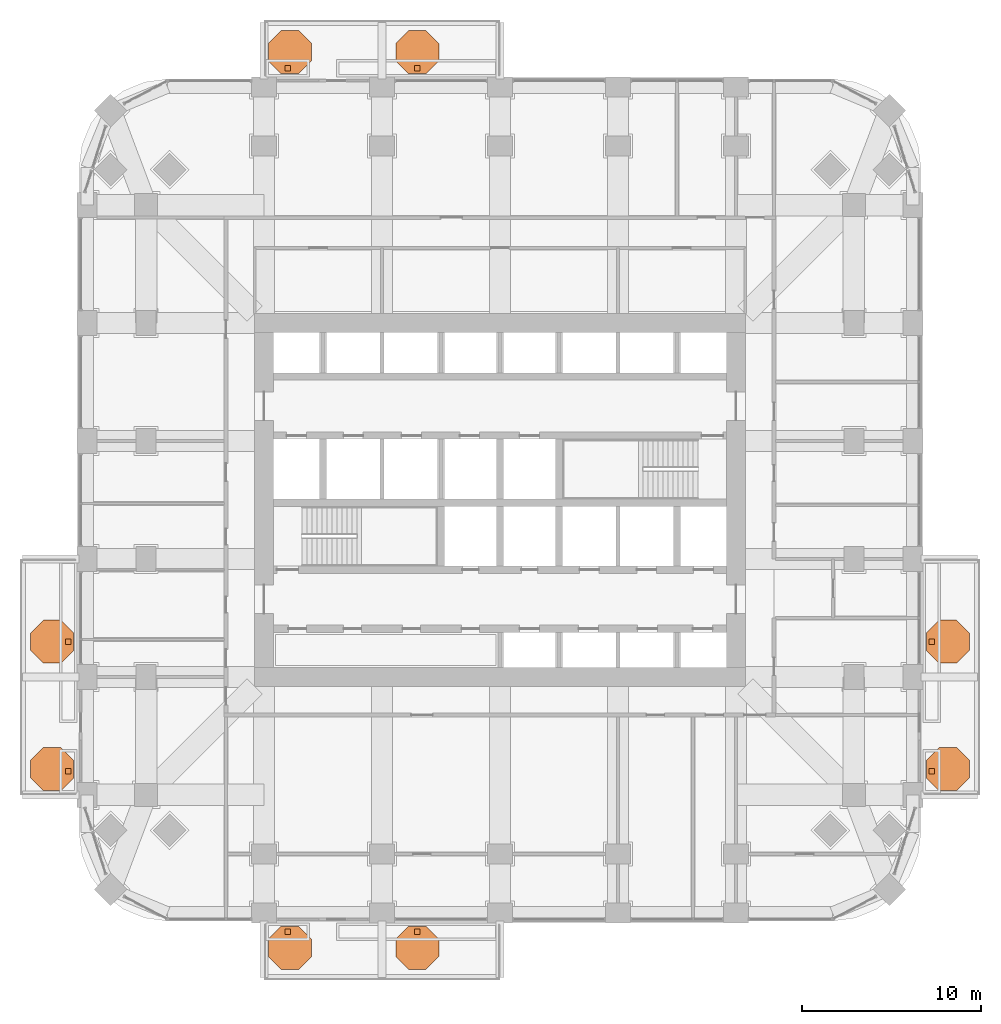
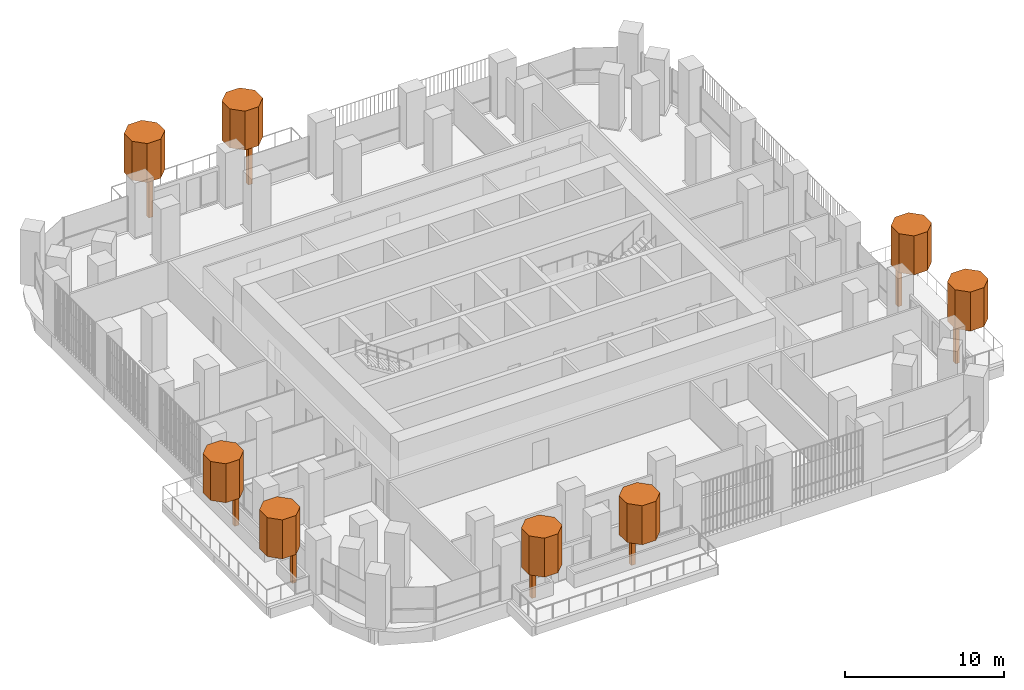
# One storey, part 21 of 21: 16 geographic elements.
"""IFC4 building model written with IfcOpenShell, lengths in metres."""

from ifc_helpers import new_model, si_unit, direction, frame, origin, origin_2d, place, context, subcontext, project, spatial, polyline, rectangle, outline, extrude, material, type_object, element, save


model = new_model("IFC4")

# Units and contexts
model_context = context("Model", 3, precision=1e-05, world=origin(), true_north=direction((0.0, 1.0)))
body_context = subcontext(model_context, "Body", "Model", "MODEL_VIEW")
ifc_project = project(units=[si_unit("LENGTHUNIT", "METRE"), si_unit("AREAUNIT", "SQUARE_METRE"), si_unit("VOLUMEUNIT", "CUBIC_METRE"), si_unit("PLANEANGLEUNIT", "RADIAN"), si_unit("MASSUNIT", "GRAM", prefix="KILO")], contexts=[model_context])

# Site, building, storey
site_placement = place(None, origin())
site = spatial("IfcSite", under=ifc_project, at=site_placement, CompositionType="ELEMENT")
building_placement = place(site_placement, origin())
building = spatial("IfcBuilding", under=site, at=building_placement, Name="Cobogo Forest Laboratory Tower", CompositionType="ELEMENT")
storey_placement = place(building_placement, frame((0.0, 0.0, 124.199951171875)))
storey = spatial("IfcBuildingStorey", under=building, at=storey_placement, Name="L28", CompositionType="ELEMENT", Elevation=124.199951171875)

# Geographic elements
ifc_material = material(Name="Planting", Category="plant")
geographic_element_type_1 = type_object("IfcGeographicElementType", Name="Tree trunk 300", PredefinedType="USERDEFINED", material=ifc_material)
for number, where, z_axis, x_axis, name in (
    (1, (14.52490234375, -1.050048828125, 0.0), (0.0, 0.0, 1.0), (1.0, 0.0, 0.0), "Tree trunk BAL-S1-PL1 L28"),
    (2, (21.77490234375, -1.050048828125, 0.0), (0.0, 0.0, 1.0), (1.0, 0.0, 0.0), "Tree trunk BAL-S1-PL2 L28"),
    (3, (50.550048828125, 7.925048828125, 0.0), (0.0, 0.0, 1.0), (1.0, 0.0, 0.0), "Tree trunk BAL-E1-PL1 L28"),
    (4, (50.550048828125, 15.175048828125, 0.0), (0.0, 0.0, 1.0), (1.0, 0.0, 0.0), "Tree trunk BAL-E1-PL2 L28"),
    (5, (14.52490234375, 47.25, 0.0), (0.0, 0.0, 1.0), (1.0, 0.0, 0.0), "Tree trunk BAL-N1-PL1 L28"),
    (6, (21.77490234375, 47.25, 0.0), (0.0, 0.0, 1.0), (1.0, 0.0, 0.0), "Tree trunk BAL-N1-PL2 L28"),
    (7, (2.25, 7.925048828125, 0.0), (0.0, 0.0, 1.0), (1.0, 0.0, 0.0), "Tree trunk BAL-W1-PL1 L28"),
    (8, (2.25, 15.175048828125, 0.0), (0.0, 0.0, 1.0), (1.0, 0.0, 0.0), "Tree trunk BAL-W1-PL2 L28"),
):
    element("IfcGeographicElement", number, at=place(storey_placement, frame(where, z_axis=z_axis, x_axis=x_axis)), inside=storey, type_object=geographic_element_type_1, Name=name, ObjectType="TREE TRUNK", PredefinedType="USERDEFINED", context=body_context, shape_type="SweptSolid", body=[
        extrude(rectangle(XDim=0.300048828125, YDim=0.300048828125, at=origin_2d()), origin(), (0.0, 0.0, 1.0), 2.89990234375),
    ])
geographic_element_type_2 = type_object("IfcGeographicElementType", Name="Tree, holm oak 5 m", PredefinedType="USERDEFINED", material=ifc_material)
geographic_element_1_placement = place(storey_placement, frame((0.0, 0.0, 2.900146484375)))
element("IfcGeographicElement", 9, at=geographic_element_1_placement, inside=storey, type_object=geographic_element_type_2, Name="Holm tree BAL-S1-PL1 L28", ObjectType="TREE", PredefinedType="USERDEFINED", context=body_context, shape_type="SweptSolid", body=[
    extrude(outline(polyline([(15.85009765625, -2.447021484375), (15.85009765625, -1.452880859375), (15.14697265625, -0.75), (14.15283203125, -0.75), (13.449951171875, -1.452880859375), (13.449951171875, -2.447021484375), (14.15283203125, -3.14990234375), (15.14697265625, -3.14990234375), (15.85009765625, -2.447021484375)])), origin(), (0.0, 0.0, 1.0), 3.0),
])
geographic_element_2_placement = place(storey_placement, frame((0.0, 0.0, 2.900146484375)))
element("IfcGeographicElement", 10, at=geographic_element_2_placement, inside=storey, type_object=geographic_element_type_2, Name="Holm tree BAL-S1-PL2 L28", ObjectType="TREE", PredefinedType="USERDEFINED", context=body_context, shape_type="SweptSolid", body=[
    extrude(outline(polyline([(22.97509765625, -2.447021484375), (22.97509765625, -1.452880859375), (22.27197265625, -0.75), (21.27783203125, -0.75), (20.574951171875, -1.452880859375), (20.574951171875, -2.447021484375), (21.27783203125, -3.14990234375), (22.27197265625, -3.14990234375), (22.97509765625, -2.447021484375)])), origin(), (0.0, 0.0, 1.0), 3.0),
])
geographic_element_3_placement = place(storey_placement, frame((0.0, 0.0, 2.900146484375)))
element("IfcGeographicElement", 11, at=geographic_element_3_placement, inside=storey, type_object=geographic_element_type_2, Name="Holm tree BAL-E1-PL1 L28", ObjectType="TREE", PredefinedType="USERDEFINED", context=body_context, shape_type="SweptSolid", body=[
    extrude(outline(polyline([(52.64990234375, 7.552978515625), (52.64990234375, 8.547119140625), (51.947021484375, 9.25), (50.952880859375, 9.25), (50.25, 8.547119140625), (50.25, 7.552978515625), (50.952880859375, 6.85009765625), (51.947021484375, 6.85009765625), (52.64990234375, 7.552978515625)])), origin(), (0.0, 0.0, 1.0), 3.0),
])
geographic_element_4_placement = place(storey_placement, frame((0.0, 0.0, 2.900146484375)))
element("IfcGeographicElement", 12, at=geographic_element_4_placement, inside=storey, type_object=geographic_element_type_2, Name="Holm tree BAL-E1-PL2 L28", ObjectType="TREE", PredefinedType="USERDEFINED", context=body_context, shape_type="SweptSolid", body=[
    extrude(outline(polyline([(52.64990234375, 14.677978515625), (52.64990234375, 15.672119140625), (51.947021484375, 16.375), (50.952880859375, 16.375), (50.25, 15.672119140625), (50.25, 14.677978515625), (50.952880859375, 13.97509765625), (51.947021484375, 13.97509765625), (52.64990234375, 14.677978515625)])), origin(), (0.0, 0.0, 1.0), 3.0),
])
geographic_element_5_placement = place(storey_placement, frame((0.0, 0.0, 2.900146484375)))
element("IfcGeographicElement", 13, at=geographic_element_5_placement, inside=storey, type_object=geographic_element_type_2, Name="Holm tree BAL-N1-PL1 L28", ObjectType="TREE", PredefinedType="USERDEFINED", context=body_context, shape_type="SweptSolid", body=[
    extrude(outline(polyline([(15.85009765625, 47.65283203125), (15.85009765625, 48.64697265625), (15.14697265625, 49.35009765625), (14.15283203125, 49.35009765625), (13.449951171875, 48.64697265625), (13.449951171875, 47.65283203125), (14.15283203125, 46.949951171875), (15.14697265625, 46.949951171875), (15.85009765625, 47.65283203125)])), origin(), (0.0, 0.0, 1.0), 3.0),
])
geographic_element_6_placement = place(storey_placement, frame((0.0, 0.0, 2.900146484375)))
element("IfcGeographicElement", 14, at=geographic_element_6_placement, inside=storey, type_object=geographic_element_type_2, Name="Holm tree BAL-N1-PL2 L28", ObjectType="TREE", PredefinedType="USERDEFINED", context=body_context, shape_type="SweptSolid", body=[
    extrude(outline(polyline([(22.97509765625, 47.65283203125), (22.97509765625, 48.64697265625), (22.27197265625, 49.35009765625), (21.27783203125, 49.35009765625), (20.574951171875, 48.64697265625), (20.574951171875, 47.65283203125), (21.27783203125, 46.949951171875), (22.27197265625, 46.949951171875), (22.97509765625, 47.65283203125)])), origin(), (0.0, 0.0, 1.0), 3.0),
])
geographic_element_7_placement = place(storey_placement, frame((0.0, 0.0, 2.900146484375)))
element("IfcGeographicElement", 15, at=geographic_element_7_placement, inside=storey, type_object=geographic_element_type_2, Name="Holm tree BAL-W1-PL1 L28", ObjectType="TREE", PredefinedType="USERDEFINED", context=body_context, shape_type="SweptSolid", body=[
    extrude(outline(polyline([(2.550048828125, 7.552978515625), (2.550048828125, 8.547119140625), (1.84716796875, 9.25), (0.85302734375, 9.25), (0.14990234375, 8.547119140625), (0.14990234375, 7.552978515625), (0.85302734375, 6.85009765625), (1.84716796875, 6.85009765625), (2.550048828125, 7.552978515625)])), origin(), (0.0, 0.0, 1.0), 3.0),
])
geographic_element_8_placement = place(storey_placement, frame((0.0, 0.0, 2.900146484375)))
element("IfcGeographicElement", 16, at=geographic_element_8_placement, inside=storey, type_object=geographic_element_type_2, Name="Holm tree BAL-W1-PL2 L28", ObjectType="TREE", PredefinedType="USERDEFINED", context=body_context, shape_type="SweptSolid", body=[
    extrude(outline(polyline([(2.550048828125, 14.677978515625), (2.550048828125, 15.672119140625), (1.84716796875, 16.375), (0.85302734375, 16.375), (0.14990234375, 15.672119140625), (0.14990234375, 14.677978515625), (0.85302734375, 13.97509765625), (1.84716796875, 13.97509765625), (2.550048828125, 14.677978515625)])), origin(), (0.0, 0.0, 1.0), 3.0),
])

save(model, "model.ifc")
